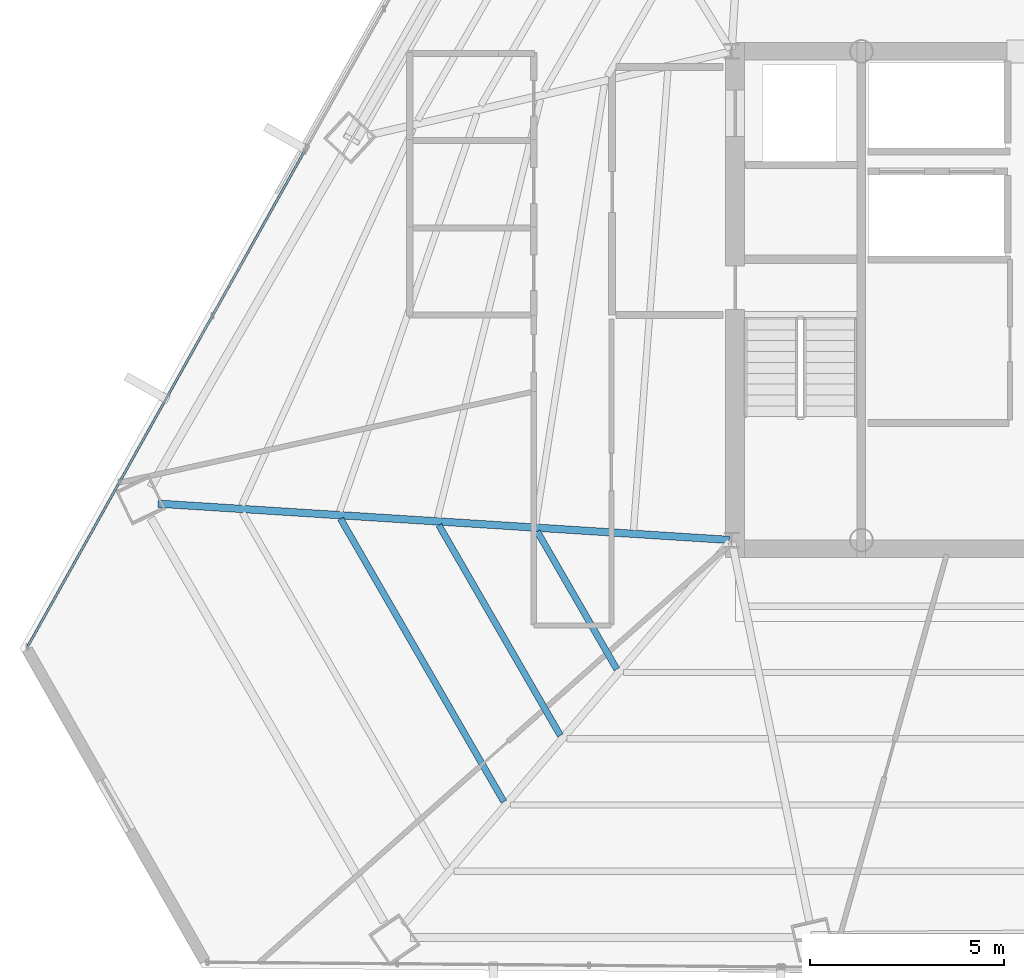
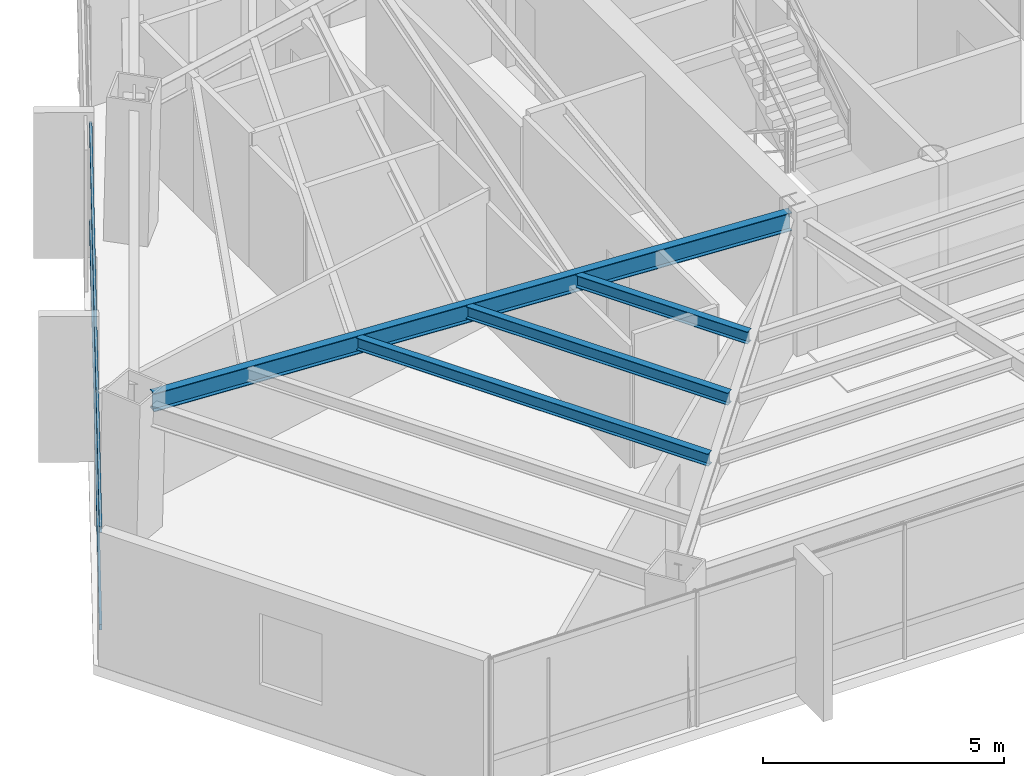
# One storey, part 7 of 39: 4 beams, 2 members, 1 element without a shape of its own.
"""IFC4 building model written with IfcOpenShell, lengths in metres."""

import ifcopenshell
import ifcopenshell.guid

model = None  # the IFC model being written
_history = None  # IfcOwnerHistory: only IFC2X3 demands one
_inside = {}  # id of a spatial element -> (the spatial element, [elements in it])
_under = {}  # id of a project, library or spatial element -> (it, [spatial elements below it])
_declared = {}  # id of a project -> (the project, [libraries it declares])
_typed = {}  # id of a type object -> (the type object, [elements of that type])
_made_of = {}  # id of a material, layer set ... -> (it, [elements and type objects made of it])


def new_model(schema):
    """Start an empty IFC model of exactly this schema.

    Asked for "IFC4X3", IfcOpenShell would pick the latest addendum, in which some entities
    have other attributes; the version numbers below select the first issue.
    IFC2X3 requires an IfcOwnerHistory on every rooted entity: one is made here for all.
    """
    global model, _history
    if schema == "IFC4X3":
        model = ifcopenshell.file(schema_version=(4, 3, 0, 0))
    else:
        model = ifcopenshell.file(schema=schema)
    _inside.clear()
    _under.clear()
    _declared.clear()
    _typed.clear()
    _made_of.clear()
    _history = None
    if model.schema == "IFC2X3":
        org = make("IfcOrganization", Name="unknown")
        user = make(
            "IfcPersonAndOrganization",
            ThePerson=make("IfcPerson", FamilyName="unknown"),
            TheOrganization=org,
        )
        app = make(
            "IfcApplication",
            ApplicationDeveloper=org,
            Version="unknown",
            ApplicationFullName="unknown",
            ApplicationIdentifier="unknown",
        )
        _history = make(
            "IfcOwnerHistory",
            OwningUser=user,
            OwningApplication=app,
            ChangeAction="ADDED",
            CreationDate=0,
        )
    return model


def make(cls, **values):
    """One entity of the class cls with the attributes given. An attribute that is None is left unset."""
    return model.create_entity(
        cls, **{name: value for name, value in values.items() if value is not None}
    )


def rooted(cls, **values):
    """An entity with a GlobalId (a new one), such as an element, a storey or a relation."""
    return make(cls, GlobalId=ifcopenshell.guid.new(), OwnerHistory=_history, **values)


def si_unit(unit_type, name, prefix=None):
    """IfcSIUnit, for example si_unit("LENGTHUNIT", "METRE", prefix="MILLI")."""
    return make("IfcSIUnit", UnitType=unit_type, Prefix=prefix, Name=name)


def assignment(units):
    """IfcUnitAssignment: the units of a project."""
    return None if units is None else make("IfcUnitAssignment", Units=units)


def point(xyz):
    """IfcCartesianPoint."""
    return None if xyz is None else make("IfcCartesianPoint", Coordinates=xyz)


def direction(xyz):
    """IfcDirection."""
    return None if xyz is None else make("IfcDirection", DirectionRatios=xyz)


def frame(location, z_axis=None, x_axis=None):
    """IfcAxis2Placement3D, a coordinate frame: its origin and axes. An axis left out is left unset."""
    return make(
        "IfcAxis2Placement3D",
        Location=point(location),
        Axis=direction(z_axis),
        RefDirection=direction(x_axis),
    )


def frame_2d(location, x_axis=None):
    """IfcAxis2Placement2D, a coordinate frame in the plane: its origin and x axis."""
    return make(
        "IfcAxis2Placement2D", Location=point(location), RefDirection=direction(x_axis)
    )


def origin():
    """The frame at (0, 0, 0) with its axes left unset."""
    return frame((0.0, 0.0, 0.0))


def origin_2d():
    """The frame at (0, 0) in the plane with its x axis left unset."""
    return frame_2d((0.0, 0.0))


def place(relative_to, where):
    """IfcLocalPlacement: puts the frame where relative to a parent placement (None: the world)."""
    return make(
        "IfcLocalPlacement", PlacementRelTo=relative_to, RelativePlacement=where
    )


def context(
    kind, dimensions, precision=None, world=None, true_north=None, identifier=None
):
    """IfcGeometricRepresentationContext, for example the 3D "Model" context."""
    return make(
        "IfcGeometricRepresentationContext",
        ContextIdentifier=identifier,
        ContextType=kind,
        CoordinateSpaceDimension=dimensions,
        Precision=precision,
        WorldCoordinateSystem=world,
        TrueNorth=true_north,
    )


def subcontext(parent, identifier, kind, view, scale=None):
    """IfcGeometricRepresentationSubContext, for example "Body" below "Model"."""
    return make(
        "IfcGeometricRepresentationSubContext",
        ContextIdentifier=identifier,
        ContextType=kind,
        ParentContext=parent,
        TargetScale=scale,
        TargetView=view,
    )


def project(units=None, contexts=None):
    """IfcProject with its units and contexts."""
    return rooted(
        "IfcProject",
        Name="project",
        RepresentationContexts=contexts,
        UnitsInContext=assignment(units),
    )


def spatial(cls, under=None, at=None, **own):
    """A site, building, storey or space (cls), placed at a placement, below another one or the project."""
    s = rooted(cls, ObjectPlacement=at, **own)
    if under is not None:
        _under.setdefault(under.id(), (under, []))[1].append(s)
    return s


def profile(cls, at=None, kind="AREA", **sizes):
    """A parametric profile (cls). Its sizes go by their IFC names, for example OverallWidth=200.0."""
    return make(cls, ProfileType=kind, Position=at, **sizes)


def hollow_rectangle(**sizes):
    """IfcRectangleHollowProfileDef."""
    return profile("IfcRectangleHollowProfileDef", **sizes)


def i_section(**sizes):
    """IfcIShapeProfileDef."""
    return profile("IfcIShapeProfileDef", **sizes)


def extrude(swept, where, along, depth):
    """IfcExtrudedAreaSolid: the profile swept, set in the frame where, extruded along a direction by depth."""
    return make(
        "IfcExtrudedAreaSolid",
        SweptArea=swept,
        Position=where,
        ExtrudedDirection=direction(along),
        Depth=depth,
    )


def shape(context_of_items, identifier, shape_type, items):
    """IfcShapeRepresentation: the items that make up one representation, for example the "Body"."""
    return make(
        "IfcShapeRepresentation",
        ContextOfItems=context_of_items,
        RepresentationIdentifier=identifier,
        RepresentationType=shape_type,
        Items=items,
    )


def source(mapping_origin, context_of_items, identifier, shape_type, items):
    """IfcRepresentationMap: a shape defined once, which mapped items show again and again."""
    return make(
        "IfcRepresentationMap",
        MappingOrigin=mapping_origin,
        MappedRepresentation=shape(context_of_items, identifier, shape_type, items),
    )


def transform(
    local_origin,
    x_axis=None,
    y_axis=None,
    z_axis=None,
    scale=None,
    scale2=None,
    scale3=None,
    uniform=True,
):
    """IfcCartesianTransformationOperator3D, or its non-uniform kind. x_axis, y_axis, z_axis: its Axis1, 2, 3."""
    if uniform:
        return make(
            "IfcCartesianTransformationOperator3D",
            Axis1=direction(x_axis),
            Axis2=direction(y_axis),
            LocalOrigin=point(local_origin),
            Scale=scale,
            Axis3=direction(z_axis),
        )
    return make(
        "IfcCartesianTransformationOperator3DnonUniform",
        Axis1=direction(x_axis),
        Axis2=direction(y_axis),
        LocalOrigin=point(local_origin),
        Scale=scale,
        Axis3=direction(z_axis),
        Scale2=scale2,
        Scale3=scale3,
    )


def mapped(mapping_source, mapping_target):
    """IfcMappedItem: shows the shape of a source again, moved by a transform."""
    return make(
        "IfcMappedItem", MappingSource=mapping_source, MappingTarget=mapping_target
    )


def material(Name=None, Category=None):
    """IfcMaterial."""
    return make("IfcMaterial", Name=Name, Category=Category)


def material_profile(
    of_material, cross_section, Name=None, Category=None, Priority=None
):
    """IfcMaterialProfile: a cross section and its material."""
    return make(
        "IfcMaterialProfile",
        Name=Name,
        Material=of_material,
        Profile=cross_section,
        Priority=Priority,
        Category=Category,
    )


def profile_set(profiles, Name=None, composite=None):
    """IfcMaterialProfileSet."""
    return make(
        "IfcMaterialProfileSet",
        Name=Name,
        MaterialProfiles=profiles,
        CompositeProfile=composite,
    )


def made_of(thing, what):
    """Note that an element or type object is made of a material, layer set ...; save() writes the relation."""
    if what is not None:
        _made_of.setdefault(what.id(), (what, []))[1].append(thing)
    return thing


def type_object(cls, material=None, **own):
    """A type object (cls), such as IfcWallType, which elements share."""
    return made_of(rooted(cls, **own), material)


def type_shapes(of_type, sources):
    """Give a type object the sources (RepresentationMaps) that its elements show as mapped items."""
    of_type.RepresentationMaps = sources


def element(
    cls,
    number,
    at=None,
    inside=None,
    cuts=None,
    type_object=None,
    material=None,
    context=None,
    identifier="Body",
    shape_type=None,
    held_by="IfcProductDefinitionShape",
    body=None,
    shapes=None,
    **own,
):
    """One element of the class cls, such as IfcWall. Its Tag is "e" and its number.

    at: its placement. inside: the storey or other place that contains it. cuts: it is an
    opening in that element (IfcRelVoidsElement). A single representation is given by context,
    identifier, shape_type and body (its items); several are given by shapes. held_by: the class
    of the entity that holds the representations. save() writes the other relations.
    """
    e = rooted(cls, Tag="e%d" % number, ObjectPlacement=at, **own)
    if body is not None:
        shapes = [shape(context, identifier, shape_type, body)]
    if shapes is not None:
        e.Representation = make(held_by, Representations=shapes)
    if inside is not None:
        _inside.setdefault(inside.id(), (inside, []))[1].append(e)
    if cuts is not None:
        rooted(
            "IfcRelVoidsElement", RelatingBuildingElement=cuts, RelatedOpeningElement=e
        )
    if type_object is not None:
        _typed.setdefault(type_object.id(), (type_object, []))[1].append(e)
    return made_of(e, material)


def aggregate(whole, parts):
    """IfcRelAggregates: a whole, such as a stair, and the parts it consists of."""
    return rooted("IfcRelAggregates", RelatingObject=whole, RelatedObjects=parts)


def save(model, path):
    """Write the relations noted so far, then the file.

    IfcRelAggregates (storeys below a building ...), IfcRelContainedInSpatialStructure (elements
    in a storey), IfcRelDefinesByType, IfcRelAssociatesMaterial and IfcRelDeclares: one each for
    every whole, place, type object, material and project.
    """
    for whole, parts in _under.values():
        aggregate(whole, parts)
    for where, things in _inside.values():
        rooted(
            "IfcRelContainedInSpatialStructure",
            RelatedElements=things,
            RelatingStructure=where,
        )
    for kind, things in _typed.values():
        rooted("IfcRelDefinesByType", RelatedObjects=things, RelatingType=kind)
    for what, things in _made_of.values():
        rooted("IfcRelAssociatesMaterial", RelatedObjects=things, RelatingMaterial=what)
    for by, libraries in _declared.values():
        rooted("IfcRelDeclares", RelatingContext=by, RelatedDefinitions=libraries)
    model.write(path)


model = new_model("IFC4")

# Units and contexts
model_context = context("Model", 3, precision=1e-05, world=origin(), true_north=direction((0.0, 1.0)))
body_context = subcontext(model_context, "Body", "Model", "MODEL_VIEW")
ifc_project = project(units=[si_unit("LENGTHUNIT", "METRE"), si_unit("AREAUNIT", "SQUARE_METRE"), si_unit("VOLUMEUNIT", "CUBIC_METRE"), si_unit("PLANEANGLEUNIT", "RADIAN"), si_unit("MASSUNIT", "GRAM", prefix="KILO")], contexts=[model_context])

# Site, building, storey
site_placement = place(None, origin())
site = spatial("IfcSite", under=ifc_project, at=site_placement, CompositionType="ELEMENT")
building_placement = place(site_placement, origin())
building = spatial("IfcBuilding", under=site, at=building_placement, Name="Caelisora Broadcast Tower", CompositionType="ELEMENT")
storey_placement = place(building_placement, frame((0.0, 0.0, 142.75)))
storey = spatial("IfcBuildingStorey", under=building, at=storey_placement, Name="L37", CompositionType="ELEMENT", Elevation=142.75)

# Beams
ifc_material_1 = material(Name="Steel Grade 350 (AS/NZS 3679.1)", Category="steel")
ifc_material_profile_1 = material_profile(ifc_material_1, i_section(OverallWidth=0.19091796875, OverallDepth=0.46044921875, WebThickness=0.010009765625, FlangeThickness=0.01611328125, at=origin_2d()), Name="Steel Grade 350 (AS/NZS 3679.1)")
ifc_profile_set_1 = profile_set([ifc_material_profile_1], Name="Steel Grade 350 (AS/NZS 3679.1)")
beam_type_1 = type_object("IfcBeamType", Name="PG06", PredefinedType="BEAM", material=ifc_profile_set_1)
shared_shape_1 = source(origin(), body_context, "Body", "SweptSolid", [
    extrude(i_section(OverallWidth=0.19091796875, OverallDepth=0.46044921875, WebThickness=0.010009765625, FlangeThickness=0.01611328125, at=origin_2d()), origin(), (0.0, 0.0, 1.0), 14.7568359375),
])
type_shapes(beam_type_1, [shared_shape_1])
beam_1_placement = place(storey_placement, frame((30.440185546875, 17.40380859375, 3.169921875), z_axis=(-0.997989373052, 0.063381474224, 0.0), x_axis=(-0.063381474224, -0.997989373052, 0.0)))
element("IfcBeam", 1, at=beam_1_placement, inside=storey, type_object=beam_type_1, Name="L37 beam PG06", PredefinedType="BEAM", context=body_context, shape_type="MappedRepresentation", body=[
    mapped(shared_shape_1, transform((0.0, 0.0, 0.0), scale=1.0)),
])
ifc_material_profile_2 = material_profile(ifc_material_1, i_section(OverallWidth=0.166015625, OverallDepth=0.30712890625, WebThickness=0.006591796875, FlangeThickness=0.01171875, at=origin_2d()), Name="Steel Grade 350 (AS/NZS 3679.1)")
ifc_profile_set_2 = profile_set([ifc_material_profile_2], Name="Steel Grade 350 (AS/NZS 3679.1)")
beam_type_2 = type_object("IfcBeamType", Name="SB03", PredefinedType="JOIST", material=ifc_profile_set_2)
shared_shape_2 = source(origin(), body_context, "Body", "SweptSolid", [
    extrude(i_section(OverallWidth=0.166015625, OverallDepth=0.30712890625, WebThickness=0.006591796875, FlangeThickness=0.01171875, at=origin_2d()), origin(), (0.0, 0.0, 1.0), 4.105712890625),
])
beam_2_placement = place(storey_placement, frame((25.4873046875, 17.625244140625, 3.246337890625), z_axis=(0.499976393034, -0.866039032844, 0.0), x_axis=(0.866039032844, 0.499976393034, 0.0)))
element("IfcBeam", 2, at=beam_2_placement, inside=storey, type_object=beam_type_2, Name="L37 beam SB03", PredefinedType="JOIST", context=body_context, shape_type="MappedRepresentation", body=[
    mapped(shared_shape_2, transform((0.0, 0.0, 0.0), scale=1.0)),
])
shared_shape_3 = source(origin(), body_context, "Body", "SweptSolid", [
    extrude(i_section(OverallWidth=0.166015625, OverallDepth=0.30712890625, WebThickness=0.006591796875, FlangeThickness=0.01171875, at=origin_2d()), origin(), (0.0, 0.0, 1.0), 6.263427734375),
])
beam_3_placement = place(storey_placement, frame((22.952880859375, 17.7861328125, 3.246337890625), z_axis=(0.50001262068, -0.866018117109, 0.0), x_axis=(0.866018117109, 0.50001262068, 0.0)))
element("IfcBeam", 3, at=beam_3_placement, inside=storey, type_object=beam_type_2, Name="L37 beam SB03", PredefinedType="JOIST", context=body_context, shape_type="MappedRepresentation", body=[
    mapped(shared_shape_3, transform((0.0, 0.0, 0.0), scale=1.0)),
])
shared_shape_4 = source(origin(), body_context, "Body", "SweptSolid", [
    extrude(i_section(OverallWidth=0.166015625, OverallDepth=0.30712890625, WebThickness=0.006591796875, FlangeThickness=0.01171875, at=origin_2d()), origin(), (0.0, 0.0, 1.0), 8.421142578125),
])
type_shapes(beam_type_2, [shared_shape_2, shared_shape_3, shared_shape_4])
beam_4_placement = place(storey_placement, frame((20.41845703125, 17.947021484375, 3.246337890625), z_axis=(0.500008539841, -0.866020473249, 0.0), x_axis=(0.866020473249, 0.500008539841, 0.0)))
element("IfcBeam", 4, at=beam_4_placement, inside=storey, type_object=beam_type_2, Name="L37 beam SB03", PredefinedType="JOIST", context=body_context, shape_type="MappedRepresentation", body=[
    mapped(shared_shape_4, transform((0.0, 0.0, 0.0), scale=1.0)),
])

# Curtain wall, members
ifc_material_2 = material(Name="Unitised Aluminium and Low-E Glass Curtain Wall", Category="glass")
curtain_wall_type = type_object("IfcCurtainWallType", Name="CW-Z3", PredefinedType="NOTDEFINED", material=ifc_material_2)
curtain_wall_placement = place(storey_placement, origin())
curtain_wall = element("IfcCurtainWall", 5, at=curtain_wall_placement, inside=storey, type_object=curtain_wall_type, Name="L37 curtain wall CW-Z3", PredefinedType="NOTDEFINED")
ifc_material_3 = material(Name="Aluminium 6063-T6 Anodised Terracotta Bronze", Category="aluminium")
ifc_material_profile_3 = material_profile(ifc_material_3, hollow_rectangle(XDim=0.06005859375, YDim=0.14990234375, WallThickness=0.00341796875, at=origin_2d()), Name="Aluminium 6063-T6 Anodised Terracotta Bronze")
ifc_profile_set_3 = profile_set([ifc_material_profile_3], Name="Aluminium 6063-T6 Anodised Terracotta Bronze")
member_type = type_object("IfcMemberType", Name="CWT-02", PredefinedType="USERDEFINED", material=ifc_profile_set_3)
shared_shape_5 = source(origin(), body_context, "Body", "SweptSolid", [
    extrude(hollow_rectangle(XDim=0.06005859375, YDim=0.14990234375, WallThickness=0.00341796875, at=origin_2d()), origin(), (0.0, 0.0, 1.0), 14.63720703125),
])
type_shapes(member_type, [shared_shape_5])
member_1_placement = place(storey_placement, frame((12.348388671875, 14.651611328125, 0.85009765625), z_axis=(0.487774254236, 0.872969802974, 0.0), x_axis=(-0.872969802974, 0.487774254236, 0.0)))
member_1 = element("IfcMember", 6, at=member_1_placement, type_object=member_type, Name="L37-CW-B09 transom #1", ObjectType="TRANSOM", PredefinedType="USERDEFINED", context=body_context, shape_type="MappedRepresentation", body=[
    mapped(shared_shape_5, transform((0.0, 0.0, 0.0), scale=1.0)),
])
member_2_placement = place(storey_placement, frame((12.348388671875, 14.651611328125, 3.320068359375), z_axis=(0.487774254236, 0.872969802974, 0.0), x_axis=(-0.872969802974, 0.487774254236, 0.0)))
member_2 = element("IfcMember", 7, at=member_2_placement, type_object=member_type, Name="L37-CW-B09 transom #2", ObjectType="TRANSOM", PredefinedType="USERDEFINED", context=body_context, shape_type="MappedRepresentation", body=[
    mapped(shared_shape_5, transform((0.0, 0.0, 0.0), scale=1.0)),
])
aggregate(curtain_wall, [member_1, member_2])

save(model, "model.ifc")
